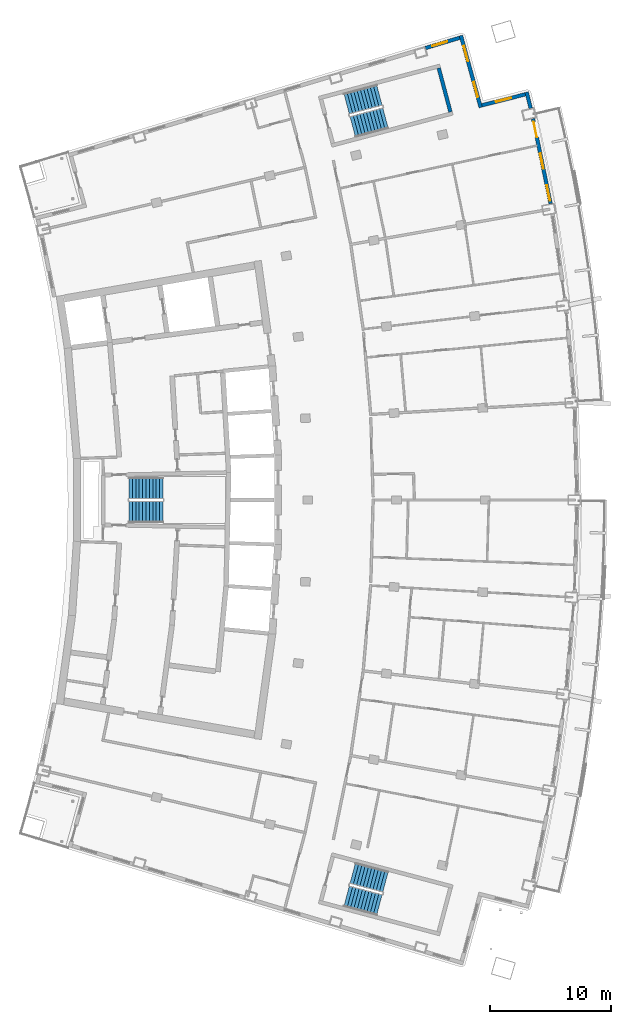
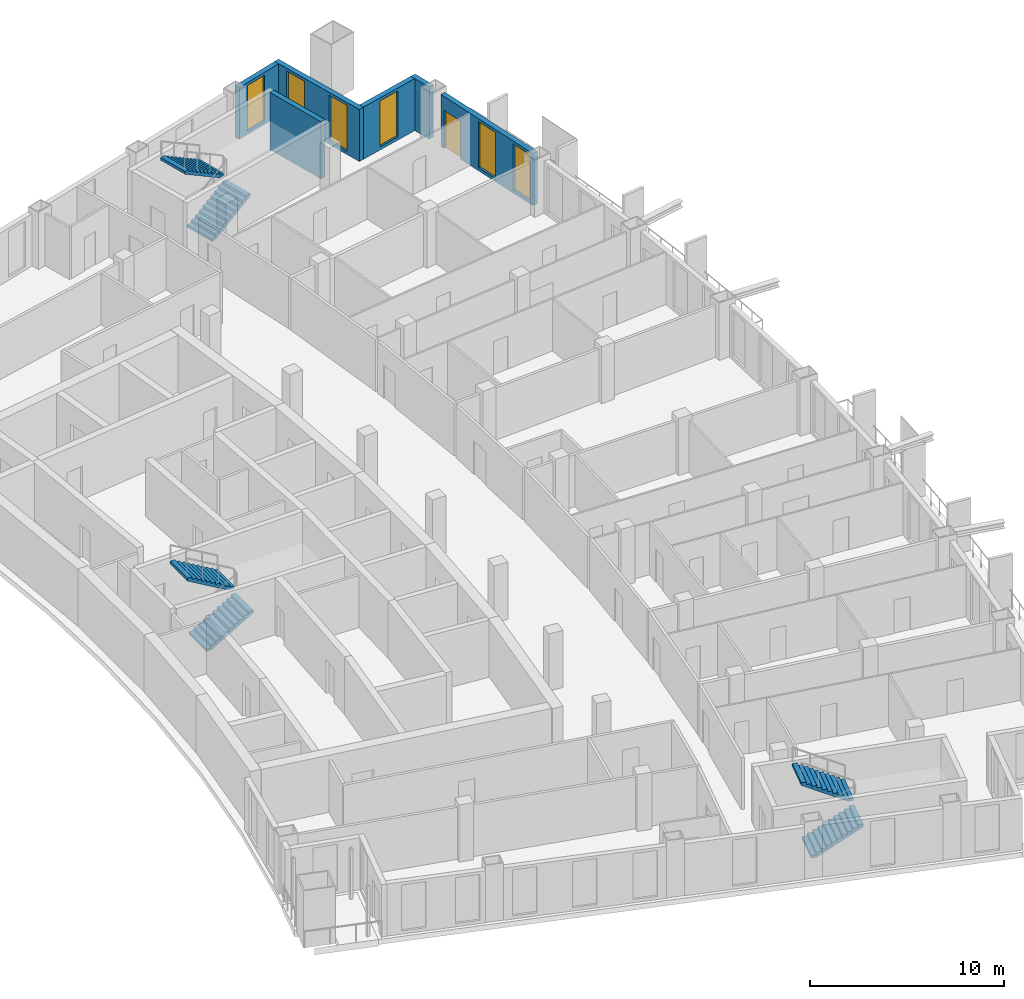
# One storey, part 15 of 17: 6 stair flights, 6 walls, 6 windows, 1 door, 7 openings, 3 elements without a shape of their own.
"""IFC4 building model written with IfcOpenShell, lengths in metres."""

from ifc_helpers import new_model, si_unit, direction, frame, frame_2d, origin, place, context, subcontext, project, spatial, polyline, rectangle, outline, extrude, material, layer, layer_set, type_object, element, fill, aggregate, save


model = new_model("IFC4")

# Units and contexts
model_context = context("Model", 3, precision=1e-05, world=origin(), true_north=direction((0.0, 1.0)))
body_context = subcontext(model_context, "Body", "Model", "MODEL_VIEW")
ifc_project = project(units=[si_unit("LENGTHUNIT", "METRE"), si_unit("AREAUNIT", "SQUARE_METRE"), si_unit("VOLUMEUNIT", "CUBIC_METRE"), si_unit("PLANEANGLEUNIT", "RADIAN"), si_unit("MASSUNIT", "GRAM", prefix="KILO")], contexts=[model_context])

# Site, building, storey
site_placement = place(None, origin())
site = spatial("IfcSite", under=ifc_project, at=site_placement, CompositionType="ELEMENT")
building_placement = place(site_placement, origin())
building = spatial("IfcBuilding", under=site, at=building_placement, Name="Alderwake Tower", CompositionType="ELEMENT")
storey_placement = place(building_placement, frame((0.0, 0.0, 214.39990234375)))
storey = spatial("IfcBuildingStorey", under=building, at=storey_placement, Name="L53", CompositionType="ELEMENT", Elevation=214.39990234375)

# Wall
ifc_material_1 = material(Name="Concrete C70/85", Category="concrete")
ifc_layer_1 = layer(ifc_material_1, 0.300048828125)
ifc_layer_set_1 = layer_set([ifc_layer_1], Name="Core wall stair enclosure 300 C70-85")
wall_type_1 = type_object("IfcWallType", Name="Core wall stair enclosure 300 C70-85", PredefinedType="SHEAR", material=ifc_layer_set_1)
wall_1_placement = place(storey_placement, frame((47.581298828125, 93.041748046875, 0.0), z_axis=(0.0, 0.0, 1.0), x_axis=(-0.257366821694, 0.966313778796, 0.0)))
element("IfcWall", 1, at=wall_1_placement, inside=storey, type_object=wall_type_1, Name="Core wall CW.081", PredefinedType="SHEAR", context=body_context, shape_type="SweptSolid", body=[
    extrude(rectangle(XDim=3.749755859375, YDim=0.300048828125, at=frame_2d((1.875, 0.0))), origin(), (0.0, 0.0, 1.0), 3.60009765625),
])

# Wall, openings, door, windows
ifc_material_2 = material(Name="Precast concrete C50/60 spandrel panel", Category="concrete")
ifc_layer_2 = layer(ifc_material_2, 0.300048828125)
ifc_layer_set_2 = layer_set([ifc_layer_2], Name="External wall EW1 Precast concrete C50/60 spandrel")
wall_type_2 = type_object("IfcWallType", Name="External wall EW1 Precast concrete C50/60 spandrel", PredefinedType="SOLIDWALL", material=ifc_layer_set_2)
wall_2_placement = place(storey_placement, frame((55.8505859375, 85.4736328125, 0.0), z_axis=(0.0, 0.0, 1.0), x_axis=(-0.202724039507, 0.979235908148, 0.0)))
wall_2 = element("IfcWall", 2, at=wall_2_placement, inside=storey, type_object=wall_type_2, Name="External wall 19", PredefinedType="SOLIDWALL", context=body_context, shape_type="SweptSolid", body=[
    extrude(rectangle(XDim=7.1572265625, YDim=0.300048828125, at=frame_2d((3.57861328125, 0.0))), origin(), (0.0, 0.0, 1.0), 3.280029296875),
])
opening_1_placement = place(wall_2_placement, frame((0.24951171875, 0.0, 0.199951171875)))
opening_1 = element("IfcOpeningElement", 3, at=opening_1_placement, cuts=wall_2, Name="Opening W1", PredefinedType="OPENING", context=body_context, shape_type="SweptSolid", body=[
    extrude(rectangle(XDim=1.300048828125, YDim=2.89990234375, at=frame_2d((0.64990234375, 1.449951171875))), frame((0.0, 0.159912109375, 0.0), z_axis=(0.0, -1.0, 0.0), x_axis=(1.0, 0.0, 0.0)), (0.0, 0.0, 1.0), 0.320068359375),
])
opening_2_placement = place(wall_2_placement, frame((2.928466796875, 0.0, 0.199951171875)))
opening_2 = element("IfcOpeningElement", 4, at=opening_2_placement, cuts=wall_2, Name="Opening W1", PredefinedType="OPENING", context=body_context, shape_type="SweptSolid", body=[
    extrude(rectangle(XDim=1.300048828125, YDim=2.89990234375, at=frame_2d((0.64990234375, 1.449951171875))), frame((0.0, 0.159912109375, 0.0), z_axis=(0.0, -1.0, 0.0), x_axis=(1.0, 0.0, 0.0)), (0.0, 0.0, 1.0), 0.320068359375),
])
opening_3_placement = place(wall_2_placement, frame((5.607666015625, 0.0, 0.0)))
opening_3 = element("IfcOpeningElement", 5, at=opening_3_placement, cuts=wall_2, Name="Opening D08", PredefinedType="OPENING", context=body_context, shape_type="SweptSolid", body=[
    extrude(rectangle(XDim=1.300048828125, YDim=2.39990234375, at=frame_2d((0.64990234375, 1.199951171875))), frame((0.0, 0.159912109375, 0.0), z_axis=(0.0, -1.0, 0.0), x_axis=(1.0, 0.0, 0.0)), (0.0, 0.0, 1.0), 0.320068359375),
])
ifc_material_3 = material(Name="Bronze tinted glass in aluminium frame", Category="aluminium")
door_type = type_object("IfcDoorType", Name="Balcony door BD sliding", OperationType="SLIDING_TO_LEFT", PredefinedType="DOOR", material=ifc_material_3)
door_placement = place(opening_3_placement, origin())
door = element("IfcDoor", 6, at=door_placement, inside=storey, type_object=door_type, Name="Door D08", OperationType="SLIDING_TO_LEFT", OverallHeight=2.39990234375, OverallWidth=1.300048828125, PredefinedType="DOOR", context=body_context, shape_type="SweptSolid", body=[
    extrude(rectangle(XDim=1.300048828125, YDim=2.39990234375, at=frame_2d((0.64990234375, 1.199951171875))), frame((0.0, 0.02490234375, 0.0), z_axis=(0.0, -1.0, 0.0), x_axis=(1.0, 0.0, 0.0)), (0.0, 0.0, 1.0), 0.050048828125),
])
fill(opening_3, door)
ifc_material_4 = material(Name="Bronze tinted glass in aluminium frame", Category="aluminium")
window_type = type_object("IfcWindowType", Name="Window W1 tall fixed and vent", PartitioningType="DOUBLE_PANEL_VERTICAL", PredefinedType="WINDOW", material=ifc_material_4)
window_1_placement = place(opening_1_placement, origin())
window_1 = element("IfcWindow", 7, at=window_1_placement, inside=storey, type_object=window_type, Name="Window W1 tall fixed and vent", OverallHeight=2.89990234375, OverallWidth=1.300048828125, PartitioningType="DOUBLE_PANEL_VERTICAL", PredefinedType="WINDOW", context=body_context, shape_type="SweptSolid", body=[
    extrude(rectangle(XDim=1.300048828125, YDim=2.89990234375, at=frame_2d((0.64990234375, 1.449951171875))), frame((0.0, 0.030029296875, 0.0), z_axis=(0.0, -1.0, 0.0), x_axis=(1.0, 0.0, 0.0)), (0.0, 0.0, 1.0), 0.06005859375),
])
fill(opening_1, window_1)
window_2_placement = place(opening_2_placement, origin())
window_2 = element("IfcWindow", 8, at=window_2_placement, inside=storey, type_object=window_type, Name="Window W1 tall fixed and vent", OverallHeight=2.89990234375, OverallWidth=1.300048828125, PartitioningType="DOUBLE_PANEL_VERTICAL", PredefinedType="WINDOW", context=body_context, shape_type="SweptSolid", body=[
    extrude(rectangle(XDim=1.300048828125, YDim=2.89990234375, at=frame_2d((0.64990234375, 1.449951171875))), frame((0.0, 0.030029296875, 0.0), z_axis=(0.0, -1.0, 0.0), x_axis=(1.0, 0.0, 0.0)), (0.0, 0.0, 1.0), 0.06005859375),
])
fill(opening_2, window_2)

# Wall
wall_3_placement = place(storey_placement, frame((54.206298828125, 93.33837890625, 0.0), z_axis=(0.0, 0.0, 1.0), x_axis=(-0.238212099684, 0.971213156606, 0.0)))
element("IfcWall", 9, at=wall_3_placement, inside=storey, type_object=wall_type_2, Name="External wall 20", PredefinedType="SOLIDWALL", context=body_context, shape_type="SweptSolid", body=[
    extrude(rectangle(XDim=1.382568359375, YDim=0.300048828125, at=frame_2d((0.69140625, 0.0))), origin(), (0.0, 0.0, 1.0), 3.280029296875),
])

# Wall, opening, window
ifc_material_5 = material(Name="Bronze metal cladding on lightweight framing")
ifc_layer_3 = layer(ifc_material_5, 0.300048828125)
ifc_layer_set_3 = layer_set([ifc_layer_3], Name="External wall EW2 bronze metal cladding")
wall_type_3 = type_object("IfcWallType", Name="External wall EW2 bronze metal cladding", PredefinedType="SOLIDWALL", material=ifc_layer_set_3)
wall_4_placement = place(storey_placement, frame((53.76708984375, 94.498779296875, 0.0), z_axis=(0.0, 0.0, 1.0), x_axis=(-0.96941119971, -0.245442306614, 0.0)))
wall_4 = element("IfcWall", 10, at=wall_4_placement, inside=storey, type_object=wall_type_3, Name="External wall 21", PredefinedType="SOLIDWALL", context=body_context, shape_type="SweptSolid", body=[
    extrude(rectangle(XDim=3.6943359375, YDim=0.300048828125, at=frame_2d((1.84716796875, 0.0))), origin(), (0.0, 0.0, 1.0), 3.280029296875),
])
opening_4_placement = place(wall_4_placement, frame((1.197021484375, 0.0, 0.199951171875)))
opening_4 = element("IfcOpeningElement", 11, at=opening_4_placement, cuts=wall_4, Name="Opening W1", PredefinedType="OPENING", context=body_context, shape_type="SweptSolid", body=[
    extrude(rectangle(XDim=1.300048828125, YDim=2.89990234375, at=frame_2d((0.64990234375, 1.449951171875))), frame((0.0, 0.159912109375, 0.0), z_axis=(0.0, -1.0, 0.0), x_axis=(1.0, 0.0, 0.0)), (0.0, 0.0, 1.0), 0.320068359375),
])
window_3_placement = place(opening_4_placement, origin())
window_3 = element("IfcWindow", 12, at=window_3_placement, inside=storey, type_object=window_type, Name="Window W1 tall fixed and vent", OverallHeight=2.89990234375, OverallWidth=1.300048828125, PartitioningType="DOUBLE_PANEL_VERTICAL", PredefinedType="WINDOW", context=body_context, shape_type="SweptSolid", body=[
    extrude(rectangle(XDim=1.300048828125, YDim=2.89990234375, at=frame_2d((0.64990234375, 1.449951171875))), frame((0.0, 0.030029296875, 0.0), z_axis=(0.0, -1.0, 0.0), x_axis=(1.0, 0.0, 0.0)), (0.0, 0.0, 1.0), 0.06005859375),
])
fill(opening_4, window_3)

# Wall, openings, windows
wall_5_placement = place(storey_placement, frame((50.080078125, 93.41064453125, 0.0), z_axis=(0.0, 0.0, 1.0), x_axis=(-0.265050617045, 0.964234499696, 0.0)))
wall_5 = element("IfcWall", 13, at=wall_5_placement, inside=storey, type_object=wall_type_3, Name="External wall 22", PredefinedType="SOLIDWALL", context=body_context, shape_type="SweptSolid", body=[
    extrude(rectangle(XDim=6.1640625, YDim=0.300048828125, at=frame_2d((3.08203125, 0.0))), origin(), (0.0, 0.0, 1.0), 3.280029296875),
])
opening_5_placement = place(wall_5_placement, frame((0.89111328125, 0.0, 0.199951171875)))
opening_5 = element("IfcOpeningElement", 14, at=opening_5_placement, cuts=wall_5, Name="Opening W1", PredefinedType="OPENING", context=body_context, shape_type="SweptSolid", body=[
    extrude(rectangle(XDim=1.300048828125, YDim=2.89990234375, at=frame_2d((0.64990234375, 1.449951171875))), frame((0.0, 0.159912109375, 0.0), z_axis=(0.0, -1.0, 0.0), x_axis=(1.0, 0.0, 0.0)), (0.0, 0.0, 1.0), 0.320068359375),
])
opening_6_placement = place(wall_5_placement, frame((3.97314453125, 0.0, 0.199951171875)))
opening_6 = element("IfcOpeningElement", 15, at=opening_6_placement, cuts=wall_5, Name="Opening W1", PredefinedType="OPENING", context=body_context, shape_type="SweptSolid", body=[
    extrude(rectangle(XDim=1.300048828125, YDim=2.89990234375, at=frame_2d((0.64990234375, 1.449951171875))), frame((0.0, 0.159912109375, 0.0), z_axis=(0.0, -1.0, 0.0), x_axis=(1.0, 0.0, 0.0)), (0.0, 0.0, 1.0), 0.320068359375),
])
window_4_placement = place(opening_5_placement, origin())
window_4 = element("IfcWindow", 16, at=window_4_placement, inside=storey, type_object=window_type, Name="Window W1 tall fixed and vent", OverallHeight=2.89990234375, OverallWidth=1.300048828125, PartitioningType="DOUBLE_PANEL_VERTICAL", PredefinedType="WINDOW", context=body_context, shape_type="SweptSolid", body=[
    extrude(rectangle(XDim=1.300048828125, YDim=2.89990234375, at=frame_2d((0.64990234375, 1.449951171875))), frame((0.0, 0.030029296875, 0.0), z_axis=(0.0, -1.0, 0.0), x_axis=(1.0, 0.0, 0.0)), (0.0, 0.0, 1.0), 0.06005859375),
])
fill(opening_5, window_4)
window_5_placement = place(opening_6_placement, origin())
window_5 = element("IfcWindow", 17, at=window_5_placement, inside=storey, type_object=window_type, Name="Window W1 tall fixed and vent", OverallHeight=2.89990234375, OverallWidth=1.300048828125, PartitioningType="DOUBLE_PANEL_VERTICAL", PredefinedType="WINDOW", context=body_context, shape_type="SweptSolid", body=[
    extrude(rectangle(XDim=1.300048828125, YDim=2.89990234375, at=frame_2d((0.64990234375, 1.449951171875))), frame((0.0, 0.030029296875, 0.0), z_axis=(0.0, -1.0, 0.0), x_axis=(1.0, 0.0, 0.0)), (0.0, 0.0, 1.0), 0.06005859375),
])
fill(opening_6, window_5)

# Wall, opening, window
wall_6_placement = place(storey_placement, frame((48.34228515625, 99.16650390625, 0.0), z_axis=(0.0, 0.0, 1.0), x_axis=(-0.957764859373, -0.287552558935, 0.0)))
wall_6 = element("IfcWall", 18, at=wall_6_placement, inside=storey, type_object=wall_type_3, Name="External wall 23", PredefinedType="SOLIDWALL", context=body_context, shape_type="SweptSolid", body=[
    extrude(rectangle(XDim=2.95458984375, YDim=0.300048828125, at=frame_2d((1.477294921875, 0.0))), origin(), (0.0, 0.0, 1.0), 3.280029296875),
])
opening_7_placement = place(wall_6_placement, frame((1.065673828125, 0.0, 0.199951171875)))
opening_7 = element("IfcOpeningElement", 19, at=opening_7_placement, cuts=wall_6, Name="Opening W1", PredefinedType="OPENING", context=body_context, shape_type="SweptSolid", body=[
    extrude(rectangle(XDim=1.300048828125, YDim=2.89990234375, at=frame_2d((0.64990234375, 1.449951171875))), frame((0.0, 0.159912109375, 0.0), z_axis=(0.0, -1.0, 0.0), x_axis=(1.0, 0.0, 0.0)), (0.0, 0.0, 1.0), 0.320068359375),
])
window_6_placement = place(opening_7_placement, origin())
window_6 = element("IfcWindow", 20, at=window_6_placement, inside=storey, type_object=window_type, Name="Window W1 tall fixed and vent", OverallHeight=2.89990234375, OverallWidth=1.300048828125, PartitioningType="DOUBLE_PANEL_VERTICAL", PredefinedType="WINDOW", context=body_context, shape_type="SweptSolid", body=[
    extrude(rectangle(XDim=1.300048828125, YDim=2.89990234375, at=frame_2d((0.64990234375, 1.449951171875))), frame((0.0, 0.030029296875, 0.0), z_axis=(0.0, -1.0, 0.0), x_axis=(1.0, 0.0, 0.0)), (0.0, 0.0, 1.0), 0.06005859375),
])
fill(opening_7, window_6)

# Stair, stair flights
ifc_material_6 = material(Name="Concrete C40/50", Category="concrete")
stair_type = type_object("IfcStairType", Name="Core exit stair", PredefinedType="HALF_TURN_STAIR", material=ifc_material_6)
stair_1_placement = place(storey_placement, origin())
stair_1 = element("IfcStair", 21, at=stair_1_placement, inside=storey, type_object=stair_type, Name="L53 Exit Stair B", PredefinedType="HALF_TURN_STAIR")
ifc_material_7 = material(Name="Concrete C40/50", Category="concrete")
ifc_layer_4 = layer(ifc_material_7, 0.14990234375)
ifc_layer_set_4 = layer_set([ifc_layer_4], Name="Core stair flight")
stair_flight_type = type_object("IfcStairFlightType", Name="Core stair flight", PredefinedType="STRAIGHT", material=ifc_layer_set_4)
stair_flight_1_placement = place(storey_placement, frame((21.0400390625, 60.02490234375, 0.0), z_axis=(0.0, 0.0, 1.0), x_axis=(1.0, 0.0, 0.0)))
stair_flight_1 = element("IfcStairFlight", 22, at=stair_flight_1_placement, type_object=stair_flight_type, Name="ST-B flight 1", NumberOfRisers=11, NumberOfTreads=10, PredefinedType="STRAIGHT", RiserHeight=0.163636364, TreadLength=0.28, context=body_context, shape_type="SweptSolid", body=[
    extrude(outline(polyline([(0.0, 0.0), (0.0, 0.16357421875), (0.280029296875, 0.16357421875), (0.280029296875, 0.327392578125), (0.56005859375, 0.327392578125), (0.56005859375, 0.490966796875), (0.840087890625, 0.490966796875), (0.840087890625, 0.654541015625), (1.1201171875, 0.654541015625), (1.1201171875, 0.818115234375), (1.39990234375, 0.818115234375), (1.39990234375, 0.98193359375), (1.679931640625, 0.98193359375), (1.679931640625, 1.1455078125), (1.9599609375, 1.1455078125), (1.9599609375, 1.30908203125), (2.239990234375, 1.30908203125), (2.239990234375, 1.47265625), (2.52001953125, 1.47265625), (2.52001953125, 1.636474609375), (2.800048828125, 1.636474609375), (2.800048828125, 1.800048828125), (2.800048828125, 1.462646484375), (0.297119140625, 0.0), (0.0, 0.0)])), frame((0.0, 0.89990234375, 0.0), z_axis=(0.0, -1.0, 0.0), x_axis=(1.0, 0.0, 0.0)), (0.0, 0.0, 1.0), 1.800048828125),
])
stair_flight_2_placement = place(storey_placement, frame((23.840087890625, 61.97509765625, 1.800048828125), z_axis=(0.0, 0.0, 1.0), x_axis=(-1.0, 0.0, 0.0)))
stair_flight_2 = element("IfcStairFlight", 23, at=stair_flight_2_placement, type_object=stair_flight_type, Name="ST-B flight 2", NumberOfRisers=11, NumberOfTreads=10, PredefinedType="STRAIGHT", RiserHeight=0.163636364, TreadLength=0.28, context=body_context, shape_type="SweptSolid", body=[
    extrude(outline(polyline([(0.0, 0.0), (0.0, 0.16357421875), (0.280029296875, 0.16357421875), (0.280029296875, 0.327392578125), (0.56005859375, 0.327392578125), (0.56005859375, 0.490966796875), (0.840087890625, 0.490966796875), (0.840087890625, 0.654541015625), (1.1201171875, 0.654541015625), (1.1201171875, 0.818115234375), (1.39990234375, 0.818115234375), (1.39990234375, 0.98193359375), (1.679931640625, 0.98193359375), (1.679931640625, 1.1455078125), (1.9599609375, 1.1455078125), (1.9599609375, 1.30908203125), (2.239990234375, 1.30908203125), (2.239990234375, 1.47265625), (2.52001953125, 1.47265625), (2.52001953125, 1.636474609375), (2.800048828125, 1.636474609375), (2.800048828125, 1.800048828125), (2.800048828125, 1.462646484375), (0.297119140625, 0.0), (0.0, 0.0)])), frame((0.0, 0.89990234375, 0.0), z_axis=(0.0, -1.0, 0.0), x_axis=(1.0, 0.0, 0.0)), (0.0, 0.0, 1.0), 1.800048828125),
])
aggregate(stair_1, [stair_flight_1, stair_flight_2])

stair_2_placement = place(storey_placement, origin())
stair_2 = element("IfcStair", 24, at=stair_2_placement, inside=storey, type_object=stair_type, Name="L53 Exit Stair A", PredefinedType="HALF_TURN_STAIR")
stair_flight_3_placement = place(storey_placement, frame((39.512939453125, 91.823974609375, 0.0), z_axis=(0.0, 0.0, 1.0), x_axis=(0.966309627437, 0.257382407951, 0.0)))
stair_flight_3 = element("IfcStairFlight", 25, at=stair_flight_3_placement, type_object=stair_flight_type, Name="ST-A flight 1", NumberOfRisers=11, NumberOfTreads=10, PredefinedType="STRAIGHT", RiserHeight=0.163636364, TreadLength=0.28, context=body_context, shape_type="SweptSolid", body=[
    extrude(outline(polyline([(0.0, 0.0), (0.0, 0.16357421875), (0.280029296875, 0.16357421875), (0.280029296875, 0.327392578125), (0.56005859375, 0.327392578125), (0.56005859375, 0.490966796875), (0.840087890625, 0.490966796875), (0.840087890625, 0.654541015625), (1.1201171875, 0.654541015625), (1.1201171875, 0.818115234375), (1.39990234375, 0.818115234375), (1.39990234375, 0.98193359375), (1.679931640625, 0.98193359375), (1.679931640625, 1.1455078125), (1.9599609375, 1.1455078125), (1.9599609375, 1.30908203125), (2.239990234375, 1.30908203125), (2.239990234375, 1.47265625), (2.52001953125, 1.47265625), (2.52001953125, 1.636474609375), (2.800048828125, 1.636474609375), (2.800048828125, 1.800048828125), (2.800048828125, 1.462646484375), (0.297119140625, 0.0), (0.0, 0.0)])), frame((0.0, 0.89990234375, 0.0), z_axis=(0.0, -1.0, 0.0), x_axis=(1.0, 0.0, 0.0)), (0.0, 0.0, 1.0), 1.800048828125),
])
stair_flight_4_placement = place(storey_placement, frame((41.716796875, 94.428955078125, 1.800048828125), z_axis=(0.0, 0.0, 1.0), x_axis=(-0.966309627437, -0.257382407951, 0.0)))
stair_flight_4 = element("IfcStairFlight", 26, at=stair_flight_4_placement, type_object=stair_flight_type, Name="ST-A flight 2", NumberOfRisers=11, NumberOfTreads=10, PredefinedType="STRAIGHT", RiserHeight=0.163636364, TreadLength=0.28, context=body_context, shape_type="SweptSolid", body=[
    extrude(outline(polyline([(0.0, 0.0), (0.0, 0.16357421875), (0.280029296875, 0.16357421875), (0.280029296875, 0.327392578125), (0.56005859375, 0.327392578125), (0.56005859375, 0.490966796875), (0.840087890625, 0.490966796875), (0.840087890625, 0.654541015625), (1.1201171875, 0.654541015625), (1.1201171875, 0.818115234375), (1.39990234375, 0.818115234375), (1.39990234375, 0.98193359375), (1.679931640625, 0.98193359375), (1.679931640625, 1.1455078125), (1.9599609375, 1.1455078125), (1.9599609375, 1.30908203125), (2.239990234375, 1.30908203125), (2.239990234375, 1.47265625), (2.52001953125, 1.47265625), (2.52001953125, 1.636474609375), (2.800048828125, 1.636474609375), (2.800048828125, 1.800048828125), (2.800048828125, 1.462646484375), (0.297119140625, 0.0), (0.0, 0.0)])), frame((0.0, 0.89990234375, 0.0), z_axis=(0.0, -1.0, 0.0), x_axis=(1.0, 0.0, 0.0)), (0.0, 0.0, 1.0), 1.800048828125),
])
aggregate(stair_2, [stair_flight_3, stair_flight_4])

stair_3_placement = place(storey_placement, origin())
stair_3 = element("IfcStair", 27, at=stair_3_placement, inside=storey, type_object=stair_type, Name="L53 Exit Stair C", PredefinedType="HALF_TURN_STAIR")
stair_flight_5_placement = place(storey_placement, frame((39.010986328125, 28.291748046875, 0.0), z_axis=(0.0, 0.0, 1.0), x_axis=(0.966309627437, -0.257382407951, 0.0)))
stair_flight_5 = element("IfcStairFlight", 28, at=stair_flight_5_placement, type_object=stair_flight_type, Name="ST-C flight 1", NumberOfRisers=11, NumberOfTreads=10, PredefinedType="STRAIGHT", RiserHeight=0.163636364, TreadLength=0.28, context=body_context, shape_type="SweptSolid", body=[
    extrude(outline(polyline([(0.0, 0.0), (0.0, 0.16357421875), (0.280029296875, 0.16357421875), (0.280029296875, 0.327392578125), (0.56005859375, 0.327392578125), (0.56005859375, 0.490966796875), (0.840087890625, 0.490966796875), (0.840087890625, 0.654541015625), (1.1201171875, 0.654541015625), (1.1201171875, 0.818115234375), (1.39990234375, 0.818115234375), (1.39990234375, 0.98193359375), (1.679931640625, 0.98193359375), (1.679931640625, 1.1455078125), (1.9599609375, 1.1455078125), (1.9599609375, 1.30908203125), (2.239990234375, 1.30908203125), (2.239990234375, 1.47265625), (2.52001953125, 1.47265625), (2.52001953125, 1.636474609375), (2.800048828125, 1.636474609375), (2.800048828125, 1.800048828125), (2.800048828125, 1.462646484375), (0.297119140625, 0.0), (0.0, 0.0)])), frame((0.0, 0.89990234375, 0.0), z_axis=(0.0, -1.0, 0.0), x_axis=(1.0, 0.0, 0.0)), (0.0, 0.0, 1.0), 1.800048828125),
])
stair_flight_6_placement = place(storey_placement, frame((42.218505859375, 29.455322265625, 1.800048828125), z_axis=(0.0, 0.0, 1.0), x_axis=(-0.966309627437, 0.257382407951, 0.0)))
stair_flight_6 = element("IfcStairFlight", 29, at=stair_flight_6_placement, type_object=stair_flight_type, Name="ST-C flight 2", NumberOfRisers=11, NumberOfTreads=10, PredefinedType="STRAIGHT", RiserHeight=0.163636364, TreadLength=0.28, context=body_context, shape_type="SweptSolid", body=[
    extrude(outline(polyline([(0.0, 0.0), (0.0, 0.16357421875), (0.280029296875, 0.16357421875), (0.280029296875, 0.327392578125), (0.56005859375, 0.327392578125), (0.56005859375, 0.490966796875), (0.840087890625, 0.490966796875), (0.840087890625, 0.654541015625), (1.1201171875, 0.654541015625), (1.1201171875, 0.818115234375), (1.39990234375, 0.818115234375), (1.39990234375, 0.98193359375), (1.679931640625, 0.98193359375), (1.679931640625, 1.1455078125), (1.9599609375, 1.1455078125), (1.9599609375, 1.30908203125), (2.239990234375, 1.30908203125), (2.239990234375, 1.47265625), (2.52001953125, 1.47265625), (2.52001953125, 1.636474609375), (2.800048828125, 1.636474609375), (2.800048828125, 1.800048828125), (2.800048828125, 1.462646484375), (0.297119140625, 0.0), (0.0, 0.0)])), frame((0.0, 0.89990234375, 0.0), z_axis=(0.0, -1.0, 0.0), x_axis=(1.0, 0.0, 0.0)), (0.0, 0.0, 1.0), 1.800048828125),
])
aggregate(stair_3, [stair_flight_5, stair_flight_6])

save(model, "model.ifc")
